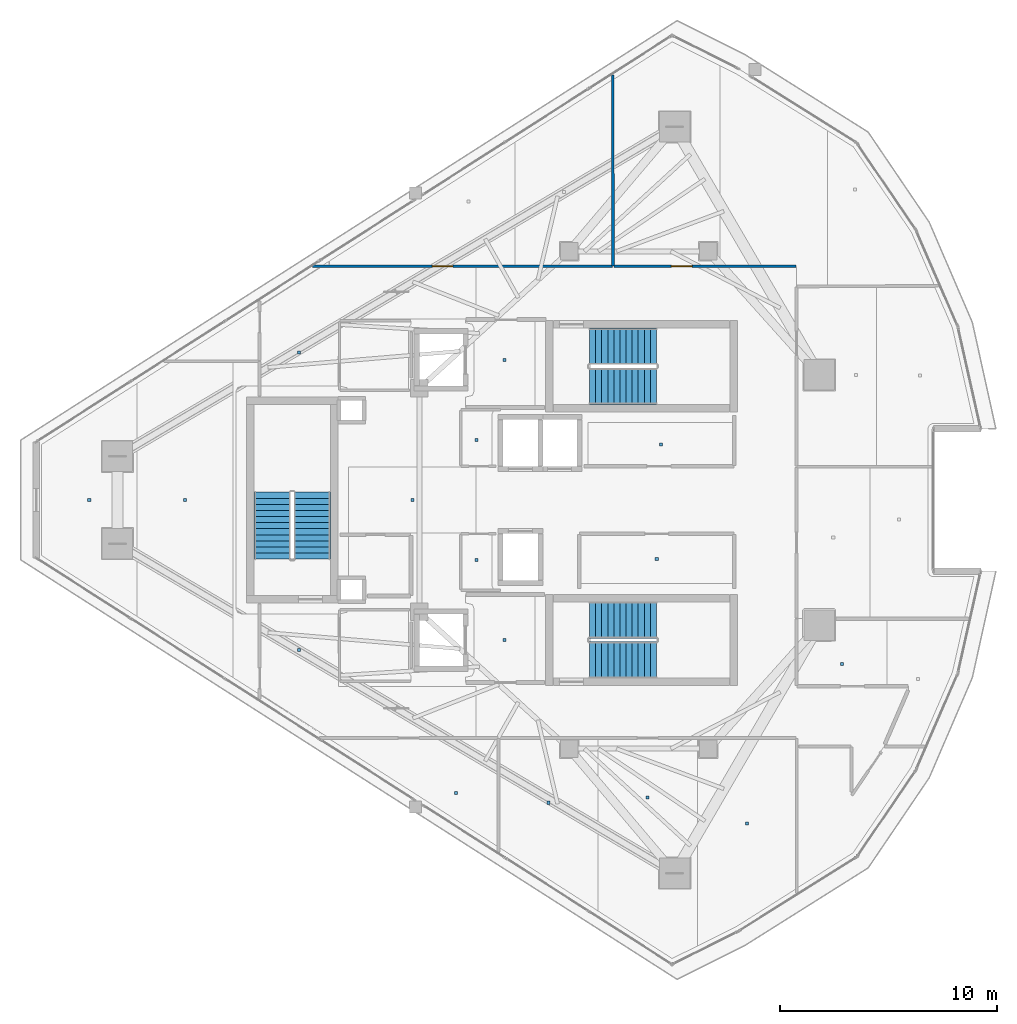
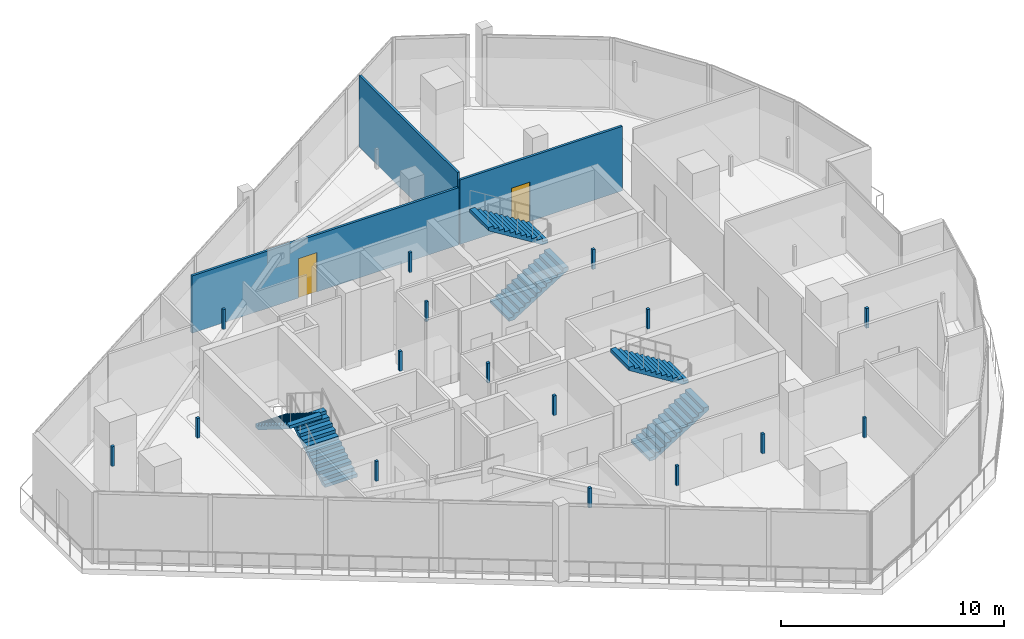
# One storey, part 19 of 25: 16 discrete accessories, 6 stair flights, 3 walls, 2 doors, 2 openings, 3 elements without a shape of their own.
"""IFC4 building model written with IfcOpenShell, lengths in metres."""

from ifc_helpers import new_model, si_unit, direction, frame, frame_2d, origin, origin_2d, place, context, subcontext, project, spatial, polyline, rectangle, outline, extrude, material, layer, layer_set, type_object, element, fill, aggregate, save


model = new_model("IFC4")

# Units and contexts
model_context = context("Model", 3, precision=1e-05, world=origin(), true_north=direction((0.0, 1.0)))
body_context = subcontext(model_context, "Body", "Model", "MODEL_VIEW")
ifc_project = project(units=[si_unit("LENGTHUNIT", "METRE"), si_unit("AREAUNIT", "SQUARE_METRE"), si_unit("VOLUMEUNIT", "CUBIC_METRE"), si_unit("PLANEANGLEUNIT", "RADIAN"), si_unit("MASSUNIT", "GRAM", prefix="KILO")], contexts=[model_context])

# Site, building, storey
site_placement = place(None, origin())
site = spatial("IfcSite", under=ifc_project, at=site_placement, CompositionType="ELEMENT")
building_placement = place(site_placement, origin())
building = spatial("IfcBuilding", under=site, at=building_placement, Name="Qorvath Tower", CompositionType="ELEMENT")
storey_placement = place(building_placement, frame((0.0, 0.0, 314.39990234375)))
storey = spatial("IfcBuildingStorey", under=building, at=storey_placement, Name="L73", CompositionType="ELEMENT", Elevation=314.39990234375)

# Wall, opening, door
ifc_material_1 = material(Name="Gypsum board on metal studs with mineral wool", Category="gypsum")
ifc_layer_1 = layer(ifc_material_1, 0.125)
ifc_layer_set_1 = layer_set([ifc_layer_1], Name="IW-PART-125")
wall_type = type_object("IfcWallType", Name="IW-PART-125", PredefinedType="PARTITIONING", material=ifc_layer_set_1)
wall_1_placement = place(storey_placement, frame((-35.416259765625, 10.758056640625, 0.0), z_axis=(0.0, 0.0, 1.0), x_axis=(1.0, 0.0, 0.0)))
wall_1 = element("IfcWall", 1, at=wall_1_placement, inside=storey, type_object=wall_type, Name="Interior Partition IW-T1-L73-027", PredefinedType="PARTITIONING", context=body_context, shape_type="SweptSolid", body=[
    extrude(rectangle(XDim=13.804931640625, YDim=0.125, at=frame_2d((6.90234375, 0.0))), origin(), (0.0, 0.0, 1.0), 3.130126953125),
])
opening_1_placement = place(wall_1_placement, frame((5.50927734375, 0.0, 0.0)))
opening_1 = element("IfcOpeningElement", 2, at=opening_1_placement, cuts=wall_1, Name="Opening D-T1-L73-08", PredefinedType="OPENING", context=body_context, shape_type="SweptSolid", body=[
    extrude(rectangle(XDim=0.949951171875, YDim=2.14990234375, at=frame_2d((0.47509765625, 1.074951171875))), frame((0.0, 0.072509765625, 0.0), z_axis=(0.0, -1.0, 0.0), x_axis=(1.0, 0.0, 0.0)), (0.0, 0.0, 1.0), 0.14501953125),
])
ifc_material_2 = material(Name="Solid-core American white oak veneer", Category="wood")
door_type = type_object("IfcDoorType", Name="D-01", OperationType="NOTDEFINED", PredefinedType="DOOR", material=ifc_material_2)
door_1_placement = place(opening_1_placement, origin())
door_1 = element("IfcDoor", 3, at=door_1_placement, inside=storey, type_object=door_type, Name="L73-01 Staff Refreshment Pantry and Coffee Bar Door D-T1-L73-08", OperationType="SINGLE_SWING_LEFT", OverallHeight=2.14990234375, OverallWidth=0.949951171875, PredefinedType="DOOR", context=body_context, shape_type="SweptSolid", body=[
    extrude(rectangle(XDim=0.949951171875, YDim=2.14990234375, at=frame_2d((0.47509765625, 1.074951171875))), frame((0.0, 0.02490234375, 0.0), z_axis=(0.0, -1.0, 0.0), x_axis=(1.0, 0.0, 0.0)), (0.0, 0.0, 1.0), 0.050048828125),
])
fill(opening_1, door_1)

# Wall
wall_2_placement = place(storey_placement, frame((-21.58642578125, 10.783203125, 0.0), z_axis=(0.0, 0.0, 1.0), x_axis=(-0.001836339799, 0.999998313927, 0.0)))
element("IfcWall", 4, at=wall_2_placement, inside=storey, type_object=wall_type, Name="Interior Partition IW-T1-L73-028", PredefinedType="PARTITIONING", context=body_context, shape_type="SweptSolid", body=[
    extrude(rectangle(XDim=8.774658203125, YDim=0.125, at=frame_2d((4.38720703125, 0.0))), origin(), (0.0, 0.0, 1.0), 3.91015625),
])

# Wall, opening, door
wall_3_placement = place(storey_placement, frame((-21.553466796875, 10.758056640625, 0.0), z_axis=(0.0, 0.0, 1.0), x_axis=(1.0, 0.0, 0.0)))
wall_3 = element("IfcWall", 5, at=wall_3_placement, inside=storey, type_object=wall_type, Name="Interior Partition IW-T1-L73-029", PredefinedType="PARTITIONING", context=body_context, shape_type="SweptSolid", body=[
    extrude(rectangle(XDim=8.386474609375, YDim=0.125, at=frame_2d((4.193359375, 0.0))), origin(), (0.0, 0.0, 1.0), 3.529052734375),
])
opening_2_placement = place(wall_3_placement, frame((2.656005859375, 0.0, 0.0)))
opening_2 = element("IfcOpeningElement", 6, at=opening_2_placement, cuts=wall_3, Name="Opening D-T1-L73-18", PredefinedType="OPENING", context=body_context, shape_type="SweptSolid", body=[
    extrude(rectangle(XDim=0.949951171875, YDim=2.14990234375, at=frame_2d((0.47509765625, 1.074951171875))), frame((0.0, 0.072509765625, 0.0), z_axis=(0.0, -1.0, 0.0), x_axis=(1.0, 0.0, 0.0)), (0.0, 0.0, 1.0), 0.14501953125),
])
door_2_placement = place(opening_2_placement, origin())
door_2 = element("IfcDoor", 7, at=door_2_placement, inside=storey, type_object=door_type, Name="L73-02 Project Collaboration Workspace Door D-T1-L73-18", OperationType="SINGLE_SWING_LEFT", OverallHeight=2.14990234375, OverallWidth=0.949951171875, PredefinedType="DOOR", context=body_context, shape_type="SweptSolid", body=[
    extrude(rectangle(XDim=0.949951171875, YDim=2.14990234375, at=frame_2d((0.47509765625, 1.074951171875))), frame((0.0, 0.02490234375, 0.0), z_axis=(0.0, -1.0, 0.0), x_axis=(1.0, 0.0, 0.0)), (0.0, 0.0, 1.0), 0.050048828125),
])
fill(opening_2, door_2)

# Stair, stair flights
ifc_material_3 = material(Name="Concrete C50/60", Category="concrete")
stair_type = type_object("IfcStairType", Name="ST-H420", PredefinedType="HALF_TURN_STAIR", material=ifc_material_3)
stair_1_placement = place(storey_placement, origin())
stair_1 = element("IfcStair", 8, at=stair_1_placement, inside=storey, type_object=stair_type, Name="L73 Tower Exit Stair 1", PredefinedType="HALF_TURN_STAIR")
ifc_material_4 = material(Name="Concrete C50/60", Category="concrete")
ifc_layer_2 = layer(ifc_material_4, 0.14990234375)
ifc_layer_set_2 = layer_set([ifc_layer_2], Name="SF-H420")
stair_flight_type = type_object("IfcStairFlightType", Name="SF-H420", PredefinedType="STRAIGHT", material=ifc_layer_set_2)
stair_flight_1_placement = place(storey_placement, frame((-22.669921875, 5.239990234375, 0.0), z_axis=(0.0, 0.0, 1.0), x_axis=(1.0, 0.0, 0.0)))
stair_flight_1 = element("IfcStairFlight", 9, at=stair_flight_1_placement, type_object=stair_flight_type, Name="TS1 flight 1", NumberOfRisers=12, NumberOfTreads=11, PredefinedType="STRAIGHT", RiserHeight=0.175, TreadLength=0.28, context=body_context, shape_type="SweptSolid", body=[
    extrude(outline(polyline([(0.0, 0.0), (0.0, 0.175048828125), (0.280029296875, 0.175048828125), (0.280029296875, 0.35009765625), (0.56005859375, 0.35009765625), (0.56005859375, 0.52490234375), (0.840087890625, 0.52490234375), (0.840087890625, 0.699951171875), (1.1201171875, 0.699951171875), (1.1201171875, 0.875), (1.39990234375, 0.875), (1.39990234375, 1.050048828125), (1.679931640625, 1.050048828125), (1.679931640625, 1.22509765625), (1.9599609375, 1.22509765625), (1.9599609375, 1.39990234375), (2.239990234375, 1.39990234375), (2.239990234375, 1.574951171875), (2.52001953125, 1.574951171875), (2.52001953125, 1.75), (2.800048828125, 1.75), (2.800048828125, 1.925048828125), (3.080078125, 1.925048828125), (3.080078125, 2.10009765625), (3.080078125, 1.748291015625), (0.28271484375, 0.0), (0.0, 0.0)])), frame((0.0, 0.83984375, 0.0), z_axis=(0.0, -1.0, 0.0), x_axis=(1.0, 0.0, 0.0)), (0.0, 0.0, 1.0), 1.679931640625),
])
stair_flight_2_placement = place(storey_placement, frame((-19.590087890625, 7.070068359375, 2.10009765625), z_axis=(0.0, 0.0, 1.0), x_axis=(-1.0, 0.0, 0.0)))
stair_flight_2 = element("IfcStairFlight", 10, at=stair_flight_2_placement, type_object=stair_flight_type, Name="TS1 flight 2", NumberOfRisers=12, NumberOfTreads=11, PredefinedType="STRAIGHT", RiserHeight=0.175, TreadLength=0.28, context=body_context, shape_type="SweptSolid", body=[
    extrude(outline(polyline([(0.0, 0.0), (0.0, 0.175048828125), (0.280029296875, 0.175048828125), (0.280029296875, 0.35009765625), (0.56005859375, 0.35009765625), (0.56005859375, 0.52490234375), (0.840087890625, 0.52490234375), (0.840087890625, 0.699951171875), (1.1201171875, 0.699951171875), (1.1201171875, 0.875), (1.39990234375, 0.875), (1.39990234375, 1.050048828125), (1.679931640625, 1.050048828125), (1.679931640625, 1.22509765625), (1.9599609375, 1.22509765625), (1.9599609375, 1.39990234375), (2.239990234375, 1.39990234375), (2.239990234375, 1.574951171875), (2.52001953125, 1.574951171875), (2.52001953125, 1.75), (2.800048828125, 1.75), (2.800048828125, 1.925048828125), (3.080078125, 1.925048828125), (3.080078125, 2.10009765625), (3.080078125, 1.748291015625), (0.28271484375, 0.0), (0.0, 0.0)])), frame((0.0, 0.83984375, 0.0), z_axis=(0.0, -1.0, 0.0), x_axis=(1.0, 0.0, 0.0)), (0.0, 0.0, 1.0), 1.679931640625),
])
aggregate(stair_1, [stair_flight_1, stair_flight_2])

stair_2_placement = place(storey_placement, origin())
stair_2 = element("IfcStair", 11, at=stair_2_placement, inside=storey, type_object=stair_type, Name="L73 Tower Exit Stair 2", PredefinedType="HALF_TURN_STAIR")
stair_flight_3_placement = place(storey_placement, frame((-22.669921875, -7.360107421875, 0.0), z_axis=(0.0, 0.0, 1.0), x_axis=(1.0, 0.0, 0.0)))
stair_flight_3 = element("IfcStairFlight", 12, at=stair_flight_3_placement, type_object=stair_flight_type, Name="TS2 flight 1", NumberOfRisers=12, NumberOfTreads=11, PredefinedType="STRAIGHT", RiserHeight=0.175, TreadLength=0.28, context=body_context, shape_type="SweptSolid", body=[
    extrude(outline(polyline([(0.0, 0.0), (0.0, 0.175048828125), (0.280029296875, 0.175048828125), (0.280029296875, 0.35009765625), (0.56005859375, 0.35009765625), (0.56005859375, 0.52490234375), (0.840087890625, 0.52490234375), (0.840087890625, 0.699951171875), (1.1201171875, 0.699951171875), (1.1201171875, 0.875), (1.39990234375, 0.875), (1.39990234375, 1.050048828125), (1.679931640625, 1.050048828125), (1.679931640625, 1.22509765625), (1.9599609375, 1.22509765625), (1.9599609375, 1.39990234375), (2.239990234375, 1.39990234375), (2.239990234375, 1.574951171875), (2.52001953125, 1.574951171875), (2.52001953125, 1.75), (2.800048828125, 1.75), (2.800048828125, 1.925048828125), (3.080078125, 1.925048828125), (3.080078125, 2.10009765625), (3.080078125, 1.748291015625), (0.28271484375, 0.0), (0.0, 0.0)])), frame((0.0, 0.83984375, 0.0), z_axis=(0.0, -1.0, 0.0), x_axis=(1.0, 0.0, 0.0)), (0.0, 0.0, 1.0), 1.679931640625),
])
stair_flight_4_placement = place(storey_placement, frame((-19.590087890625, -5.530029296875, 2.10009765625), z_axis=(0.0, 0.0, 1.0), x_axis=(-1.0, 0.0, 0.0)))
stair_flight_4 = element("IfcStairFlight", 13, at=stair_flight_4_placement, type_object=stair_flight_type, Name="TS2 flight 2", NumberOfRisers=12, NumberOfTreads=11, PredefinedType="STRAIGHT", RiserHeight=0.175, TreadLength=0.28, context=body_context, shape_type="SweptSolid", body=[
    extrude(outline(polyline([(0.0, 0.0), (0.0, 0.175048828125), (0.280029296875, 0.175048828125), (0.280029296875, 0.35009765625), (0.56005859375, 0.35009765625), (0.56005859375, 0.52490234375), (0.840087890625, 0.52490234375), (0.840087890625, 0.699951171875), (1.1201171875, 0.699951171875), (1.1201171875, 0.875), (1.39990234375, 0.875), (1.39990234375, 1.050048828125), (1.679931640625, 1.050048828125), (1.679931640625, 1.22509765625), (1.9599609375, 1.22509765625), (1.9599609375, 1.39990234375), (2.239990234375, 1.39990234375), (2.239990234375, 1.574951171875), (2.52001953125, 1.574951171875), (2.52001953125, 1.75), (2.800048828125, 1.75), (2.800048828125, 1.925048828125), (3.080078125, 1.925048828125), (3.080078125, 2.10009765625), (3.080078125, 1.748291015625), (0.28271484375, 0.0), (0.0, 0.0)])), frame((0.0, 0.83984375, 0.0), z_axis=(0.0, -1.0, 0.0), x_axis=(1.0, 0.0, 0.0)), (0.0, 0.0, 1.0), 1.679931640625),
])
aggregate(stair_2, [stair_flight_3, stair_flight_4])

stair_3_placement = place(storey_placement, origin())
stair_3 = element("IfcStair", 14, at=stair_3_placement, inside=storey, type_object=stair_type, Name="L73 Tower Exit Stair 3", PredefinedType="HALF_TURN_STAIR")
stair_flight_5_placement = place(storey_placement, frame((-35.43994140625, -2.719970703125, 0.0), z_axis=(0.0, 0.0, 1.0), x_axis=(0.0, 1.0, 0.0)))
stair_flight_5 = element("IfcStairFlight", 15, at=stair_flight_5_placement, type_object=stair_flight_type, Name="TS3 flight 1", NumberOfRisers=12, NumberOfTreads=11, PredefinedType="STRAIGHT", RiserHeight=0.175, TreadLength=0.28, context=body_context, shape_type="SweptSolid", body=[
    extrude(outline(polyline([(0.0, 0.0), (0.0, 0.175048828125), (0.280029296875, 0.175048828125), (0.280029296875, 0.35009765625), (0.56005859375, 0.35009765625), (0.56005859375, 0.52490234375), (0.840087890625, 0.52490234375), (0.840087890625, 0.699951171875), (1.1201171875, 0.699951171875), (1.1201171875, 0.875), (1.39990234375, 0.875), (1.39990234375, 1.050048828125), (1.679931640625, 1.050048828125), (1.679931640625, 1.22509765625), (1.9599609375, 1.22509765625), (1.9599609375, 1.39990234375), (2.239990234375, 1.39990234375), (2.239990234375, 1.574951171875), (2.52001953125, 1.574951171875), (2.52001953125, 1.75), (2.800048828125, 1.75), (2.800048828125, 1.925048828125), (3.080078125, 1.925048828125), (3.080078125, 2.10009765625), (3.080078125, 1.748291015625), (0.28271484375, 0.0), (0.0, 0.0)])), frame((0.0, 0.83984375, 0.0), z_axis=(0.0, -1.0, 0.0), x_axis=(1.0, 0.0, 0.0)), (0.0, 0.0, 1.0), 1.679931640625),
])
stair_flight_6_placement = place(storey_placement, frame((-37.27001953125, 0.360107421875, 2.10009765625), z_axis=(0.0, 0.0, 1.0), x_axis=(0.0, -1.0, 0.0)))
stair_flight_6 = element("IfcStairFlight", 16, at=stair_flight_6_placement, type_object=stair_flight_type, Name="TS3 flight 2", NumberOfRisers=12, NumberOfTreads=11, PredefinedType="STRAIGHT", RiserHeight=0.175, TreadLength=0.28, context=body_context, shape_type="SweptSolid", body=[
    extrude(outline(polyline([(0.0, 0.0), (0.0, 0.175048828125), (0.280029296875, 0.175048828125), (0.280029296875, 0.35009765625), (0.56005859375, 0.35009765625), (0.56005859375, 0.52490234375), (0.840087890625, 0.52490234375), (0.840087890625, 0.699951171875), (1.1201171875, 0.699951171875), (1.1201171875, 0.875), (1.39990234375, 0.875), (1.39990234375, 1.050048828125), (1.679931640625, 1.050048828125), (1.679931640625, 1.22509765625), (1.9599609375, 1.22509765625), (1.9599609375, 1.39990234375), (2.239990234375, 1.39990234375), (2.239990234375, 1.574951171875), (2.52001953125, 1.574951171875), (2.52001953125, 1.75), (2.800048828125, 1.75), (2.800048828125, 1.925048828125), (3.080078125, 1.925048828125), (3.080078125, 2.10009765625), (3.080078125, 1.748291015625), (0.28271484375, 0.0), (0.0, 0.0)])), frame((0.0, 0.83984375, 0.0), z_axis=(0.0, -1.0, 0.0), x_axis=(1.0, 0.0, 0.0)), (0.0, 0.0, 1.0), 1.679931640625),
])
aggregate(stair_3, [stair_flight_5, stair_flight_6])

# Discrete accessories
ifc_material_5 = material(Name="Galvanised steel bracket", Category="steel")
discrete_accessory_type = type_object("IfcDiscreteAccessoryType", Name="DA-BRACKET", PredefinedType="BRACKET", material=ifc_material_5)
for number, where, z_axis, x_axis, name in (
    (17, (-26.590087890625, 6.449951171875, 2.860107421875), (0.0, 0.0, 1.0), (1.0, 0.0, 0.0), "Acoustic Ceiling Suspension Hanger T1-L73-001"),
    (18, (-26.590087890625, -6.449951171875, 2.860107421875), (0.0, 0.0, 1.0), (1.0, 0.0, 0.0), "Acoustic Ceiling Suspension Hanger T1-L73-002"),
    (19, (-19.37255859375, 2.5625, 2.860107421875), (0.0, 0.0, 1.0), (1.0, 0.0, 0.0), "Acoustic Ceiling Suspension Hanger T1-L73-003"),
    (20, (-19.574951171875, -2.70751953125, 2.860107421875), (0.0, 0.0, 1.0), (1.0, 0.0, 0.0), "Acoustic Ceiling Suspension Hanger T1-L73-004"),
    (21, (-27.87744140625, 2.762451171875, 2.860107421875), (0.0, 0.0, 1.0), (1.0, 0.0, 0.0), "Acoustic Ceiling Suspension Hanger T1-L73-005"),
    (22, (-27.87744140625, -2.762451171875, 2.860107421875), (0.0, 0.0, 1.0), (1.0, 0.0, 0.0), "Acoustic Ceiling Suspension Hanger T1-L73-006"),
    (23, (-36.040283203125, 6.782470703125, 2.860107421875), (0.0, 0.0, 1.0), (1.0, 0.0, 0.0), "Acoustic Ceiling Suspension Hanger T1-L73-010"),
    (24, (-36.04150390625, -6.907958984375, 2.860107421875), (0.0, 0.0, 1.0), (1.0, 0.0, 0.0), "Acoustic Ceiling Suspension Hanger T1-L73-011"),
    (25, (-30.8291015625, 0.0, 2.860107421875), (0.0, 0.0, 1.0), (1.0, 0.0, 0.0), "Acoustic Ceiling Suspension Hanger T1-L73-012"),
    (26, (-28.813720703125, -13.484130859375, 2.860107421875), (0.0, 0.0, 1.0), (1.0, 0.0, 0.0), "Acoustic Ceiling Suspension Hanger T1-L73-018"),
    (27, (-24.565673828125, -13.9365234375, 2.860107421875), (0.0, 0.0, 1.0), (1.0, 0.0, 0.0), "Acoustic Ceiling Suspension Hanger T1-L73-019"),
    (28, (-19.993408203125, -13.697998046875, 2.860107421875), (0.0, 0.0, 1.0), (1.0, 0.0, 0.0), "Acoustic Ceiling Suspension Hanger T1-L73-020"),
    (29, (-15.421142578125, -14.888671875, 2.860107421875), (0.0, 0.0, 1.0), (1.0, 0.0, 0.0), "Acoustic Ceiling Suspension Hanger T1-L73-021"),
    (30, (-11.055419921875, -7.54248046875, 2.860107421875), (0.0, 0.0, 1.0), (1.0, 0.0, 0.0), "Acoustic Ceiling Suspension Hanger T1-L73-023"),
    (31, (-45.698486328125, 0.0, 2.860107421875), (0.0, 0.0, 1.0), (1.0, 0.0, 0.0), "Acoustic Ceiling Suspension Hanger T1-L73-029"),
    (32, (-41.284423828125, 0.00341796875, 2.860107421875), (0.0, 0.0, 1.0), (1.0, 0.0, 0.0), "Acoustic Ceiling Suspension Hanger T1-L73-030"),
):
    element("IfcDiscreteAccessory", number, at=place(storey_placement, frame(where, z_axis=z_axis, x_axis=x_axis)), inside=storey, type_object=discrete_accessory_type, Name=name, PredefinedType="NOTDEFINED", context=body_context, shape_type="SweptSolid", body=[
        extrude(rectangle(XDim=0.139892578125, YDim=0.139892578125, at=origin_2d()), origin(), (0.0, 0.0, 1.0), 1.080078125),
    ])

save(model, "model.ifc")
